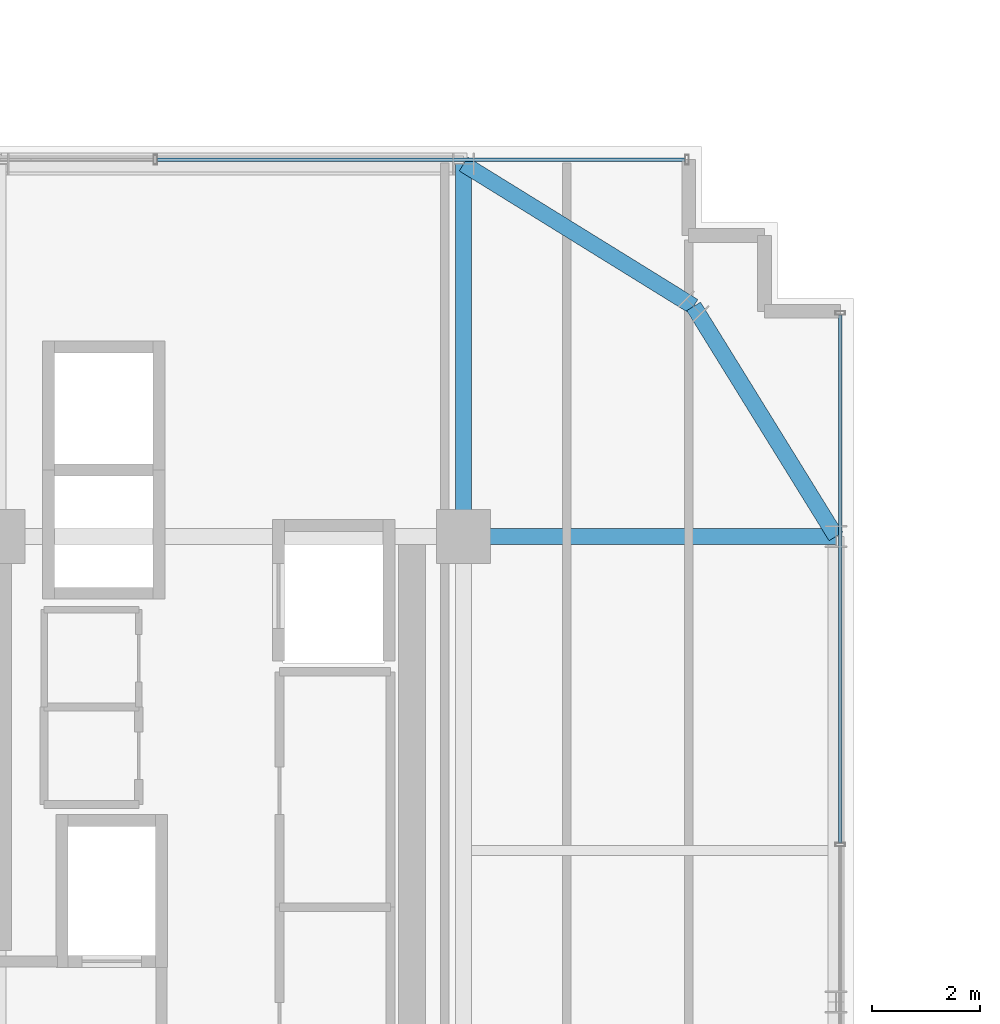
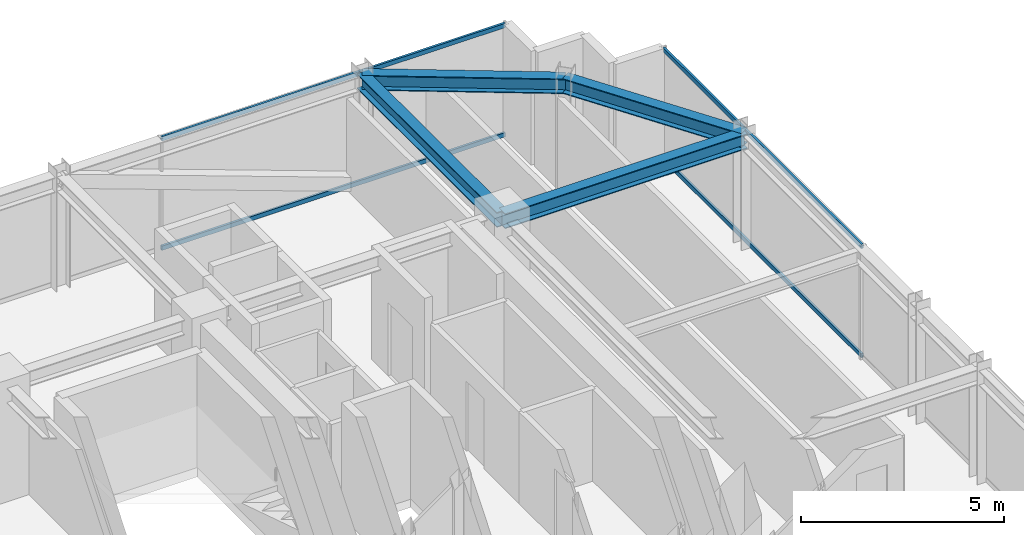
# One storey, part 27 of 36: 4 beams, 4 members, 2 elements without a shape of their own.
"""IFC4 building model written with IfcOpenShell, lengths in metres."""

from ifc_helpers import new_model, si_unit, direction, frame, origin, origin_2d, place, context, subcontext, project, spatial, hollow_rectangle, i_section, extrude, source, transform, mapped, material, material_profile, profile_set, type_object, element, aggregate, save


model = new_model("IFC4")

# Units and contexts
model_context = context("Model", 3, precision=1e-05, world=origin(), true_north=direction((0.0, 1.0)))
body_context = subcontext(model_context, "Body", "Model", "MODEL_VIEW")
ifc_project = project(units=[si_unit("LENGTHUNIT", "METRE"), si_unit("AREAUNIT", "SQUARE_METRE"), si_unit("VOLUMEUNIT", "CUBIC_METRE"), si_unit("PLANEANGLEUNIT", "RADIAN"), si_unit("MASSUNIT", "GRAM", prefix="KILO")], contexts=[model_context])

# Site, building, storey
site_placement = place(None, origin())
site = spatial("IfcSite", under=ifc_project, at=site_placement, CompositionType="ELEMENT")
building_placement = place(site_placement, origin())
building = spatial("IfcBuilding", under=site, at=building_placement, Name="Nahalor Promenade Grand Hotel", CompositionType="ELEMENT")
storey_placement = place(building_placement, frame((0.0, 0.0, 219.699951171875)))
storey = spatial("IfcBuildingStorey", under=building, at=storey_placement, Name="L56", CompositionType="ELEMENT", Elevation=219.699951171875)

# Beams
ifc_material_1 = material(Name="Steel S355JR", Category="steel")
ifc_material_profile_1 = material_profile(ifc_material_1, i_section(OverallWidth=0.3, OverallDepth=0.45, WebThickness=0.014, FlangeThickness=0.026, at=origin_2d()), Name="HEB 450")
ifc_profile_set_1 = profile_set([ifc_material_profile_1], Name="Steel S355JR")
beam_type_1 = type_object("IfcBeamType", Name="Beam-Spandrel-HEB450", PredefinedType="SPANDREL", material=ifc_profile_set_1)
shared_shape_1 = source(origin(), body_context, "Body", "SweptSolid", [
    extrude(i_section(OverallWidth=0.3, OverallDepth=0.45, WebThickness=0.014, FlangeThickness=0.026, at=origin_2d()), origin(), (0.0, 0.0, 1.0), 4.997802734375),
])
for number, where, z_axis, x_axis, name in (
    (1, (17.0, 23.8798828125, 3.18505859375), (0.850360908404, -0.526199891161, 0.0), (0.526199891161, 0.850360908404, 0.0), "BM-L56-SPC-NE-1"),
    (2, (21.25, 21.25, 3.18505859375), (0.526199891161, -0.850360908404, 0.0), (0.850360908404, 0.526199891161, 0.0), "BM-L56-SPC-NE-2"),
):
    element("IfcBeam", number, at=place(storey_placement, frame(where, z_axis=z_axis, x_axis=x_axis)), inside=storey, type_object=beam_type_1, Name=name, PredefinedType="SPANDREL", context=body_context, shape_type="MappedRepresentation", body=[
        mapped(shared_shape_1, transform((0.0, 0.0, 0.0), scale=1.0)),
    ])
ifc_material_profile_2 = material_profile(ifc_material_1, i_section(OverallWidth=0.3, OverallDepth=0.45, WebThickness=0.014, FlangeThickness=0.026, at=origin_2d()), Name="HEB 450")
ifc_profile_set_2 = profile_set([ifc_material_profile_2], Name="Steel S355JR")
beam_type_2 = type_object("IfcBeamType", Name="Beam-Girder-HEB450", PredefinedType="BEAM", material=ifc_profile_set_2)
shared_shape_2 = source(origin(), body_context, "Body", "SweptSolid", [
    extrude(i_section(OverallWidth=0.3, OverallDepth=0.45, WebThickness=0.014, FlangeThickness=0.026, at=origin_2d()), origin(), (0.0, 0.0, 1.0), 6.8798828125),
])
for number, where, z_axis, x_axis, name in (
    (3, (17.0, 17.0, 3.18505859375), (1.0, 0.0, 0.0), (0.0, 1.0, 0.0), "BM-L56-GX-3-6"),
    (4, (17.0, 17.0, 3.18505859375), (0.0, 1.0, 0.0), (-1.0, 0.0, 0.0), "BM-L56-GY-5-4"),
):
    element("IfcBeam", number, at=place(storey_placement, frame(where, z_axis=z_axis, x_axis=x_axis)), inside=storey, type_object=beam_type_2, Name=name, PredefinedType="BEAM", context=body_context, shape_type="MappedRepresentation", body=[
        mapped(shared_shape_2, transform((0.0, 0.0, 0.0), scale=1.0)),
    ])

# Curtain wall, members
ifc_material_2 = material(Name="Anodised Bronze Aluminium EN AW-6063 T6", Category="aluminium")
curtain_wall_type = type_object("IfcCurtainWallType", Name="CW2 Typical Hotel Flush Bronze Unitised Curtain Wall", PredefinedType="USERDEFINED", material=ifc_material_2)
curtain_wall_1_placement = place(storey_placement, origin())
curtain_wall_1 = element("IfcCurtainWall", 5, at=curtain_wall_1_placement, inside=storey, type_object=curtain_wall_type, Name="L56 Curtain Wall CW-L56-N-3", ObjectType="UNITISED_CURTAIN_WALL", PredefinedType="USERDEFINED")
ifc_material_profile_3 = material_profile(ifc_material_2, hollow_rectangle(XDim=0.065, YDim=0.13, WallThickness=0.004, at=origin_2d()), Name="CWT 65x130x4")
ifc_profile_set_3 = profile_set([ifc_material_profile_3], Name="Anodised Bronze Aluminium EN AW-6063 T6")
member_type = type_object("IfcMemberType", Name="CWT2 Typical Bronze Transom 65x130", PredefinedType="USERDEFINED", material=ifc_profile_set_3)
shared_shape_3 = source(origin(), body_context, "Body", "SweptSolid", [
    extrude(hollow_rectangle(XDim=0.065, YDim=0.13, WallThickness=0.004, at=origin_2d()), origin(), (0.0, 0.0, 1.0), 9.755859375),
])
member_1_placement = place(storey_placement, frame((11.339111328125, 23.9599609375, 0.06494140625), z_axis=(1.0, 0.0, 0.0), x_axis=(0.0, 1.0, 0.0)))
member_1 = element("IfcMember", 6, at=member_1_placement, type_object=member_type, Name="CW-L56-N-3 Transom 2-0", ObjectType="TRANSOM", PredefinedType="USERDEFINED", context=body_context, shape_type="MappedRepresentation", body=[
    mapped(shared_shape_3, transform((0.0, 0.0, 0.0), scale=1.0)),
])
member_2_placement = place(storey_placement, frame((11.339111328125, 23.9599609375, 3.344970703125), z_axis=(1.0, 0.0, 0.0), x_axis=(0.0, 1.0, 0.0)))
member_2 = element("IfcMember", 7, at=member_2_placement, type_object=member_type, Name="CW-L56-N-3 Transom 2-1", ObjectType="TRANSOM", PredefinedType="USERDEFINED", context=body_context, shape_type="MappedRepresentation", body=[
    mapped(shared_shape_3, transform((0.0, 0.0, 0.0), scale=1.0)),
])
aggregate(curtain_wall_1, [member_1, member_2])

curtain_wall_2_placement = place(storey_placement, origin())
curtain_wall_2 = element("IfcCurtainWall", 8, at=curtain_wall_2_placement, inside=storey, type_object=curtain_wall_type, Name="L56 Curtain Wall CW-L56-E-3", ObjectType="UNITISED_CURTAIN_WALL", PredefinedType="USERDEFINED")
member_3_placement = place(storey_placement, frame((23.9599609375, 11.339111328125, 0.06494140625), z_axis=(0.0, 1.0, 0.0), x_axis=(-1.0, 0.0, 0.0)))
member_3 = element("IfcMember", 9, at=member_3_placement, type_object=member_type, Name="CW-L56-E-3 Transom 2-0", ObjectType="TRANSOM", PredefinedType="USERDEFINED", context=body_context, shape_type="MappedRepresentation", body=[
    mapped(shared_shape_3, transform((0.0, 0.0, 0.0), scale=1.0)),
])
member_4_placement = place(storey_placement, frame((23.9599609375, 11.339111328125, 3.344970703125), z_axis=(0.0, 1.0, 0.0), x_axis=(-1.0, 0.0, 0.0)))
member_4 = element("IfcMember", 10, at=member_4_placement, type_object=member_type, Name="CW-L56-E-3 Transom 2-1", ObjectType="TRANSOM", PredefinedType="USERDEFINED", context=body_context, shape_type="MappedRepresentation", body=[
    mapped(shared_shape_3, transform((0.0, 0.0, 0.0), scale=1.0)),
])
aggregate(curtain_wall_2, [member_3, member_4])

save(model, "model.ifc")
